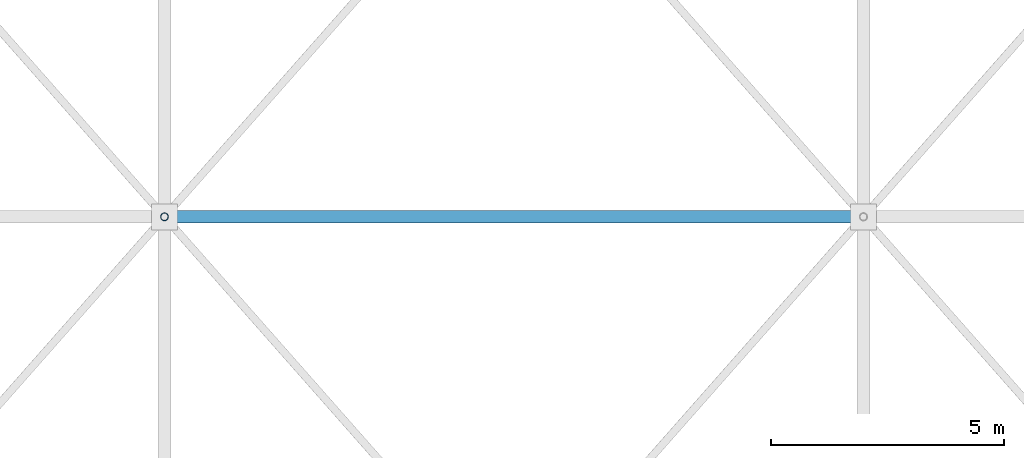
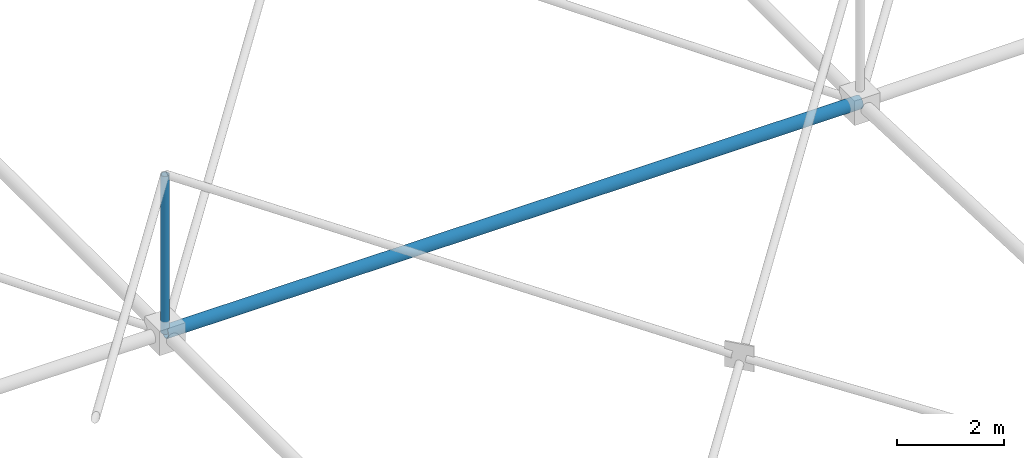
# One storey, part 63 of 224: 2 members.
"""IFC4 building model written with IfcOpenShell, lengths in metres."""

from ifc_helpers import new_model, si_unit, direction, frame, origin, origin_2d, place, context, subcontext, project, spatial, hollow_circle, extrude, material, material_profile, profile_set, type_object, element, save


model = new_model("IFC4")

# Units and contexts
model_context = context("Model", 3, precision=1e-05, world=origin(), true_north=direction((0.0, 1.0)))
body_context = subcontext(model_context, "Body", "Model", "MODEL_VIEW")
ifc_project = project(units=[si_unit("LENGTHUNIT", "METRE"), si_unit("AREAUNIT", "SQUARE_METRE"), si_unit("VOLUMEUNIT", "CUBIC_METRE"), si_unit("PLANEANGLEUNIT", "RADIAN"), si_unit("MASSUNIT", "GRAM", prefix="KILO")], contexts=[model_context])

# Site, building, storey
site_placement = place(None, origin())
site = spatial("IfcSite", under=ifc_project, at=site_placement, CompositionType="ELEMENT")
building_placement = place(site_placement, origin())
building = spatial("IfcBuilding", under=site, at=building_placement, Name="Qamarlyn Nura Convention Centre", CompositionType="ELEMENT")
storey_placement = place(building_placement, frame((0.0, 0.0, 10.800048828125)))
storey = spatial("IfcBuildingStorey", under=building, at=storey_placement, Name="L02", CompositionType="ELEMENT", Elevation=10.800048828125)

# Members
ifc_material = material(Name="Pearl-white PVDF steel ASTM A500 Grade C", Category="steel")
ifc_material_profile_1 = material_profile(ifc_material, hollow_circle(Radius=0.136474609375, WallThickness=0.012451171875, at=origin_2d()), Name="CHS273X12.5")
ifc_profile_set_1 = profile_set([ifc_material_profile_1], Name="Pearl-white PVDF steel ASTM A500 Grade C")
member_type_1 = type_object("IfcMemberType", Name="SF-BC-MAIN", PredefinedType="CHORD", material=ifc_profile_set_1)
member_1_placement = place(storey_placement, frame((90.0, 52.0, 0.800048828125), z_axis=(0.999999996689, 0.0, 8.1380208e-05), x_axis=(0.0, 1.0, 0.0)))
element("IfcMember", 1, at=member_1_placement, inside=storey, type_object=member_type_1, Name="ROOF TRUSS space frame bottom chord X8-4", PredefinedType="CHORD", context=body_context, shape_type="SweptSolid", body=[
    extrude(hollow_circle(Radius=0.136474609375, WallThickness=0.012451171875, at=origin_2d()), origin(), (0.0, 0.0, 1.0), 15.0),
])
ifc_material_profile_2 = material_profile(ifc_material, hollow_circle(Radius=0.084228515625, WallThickness=0.008056640625, at=origin_2d()), Name="CHS168.3X8")
ifc_profile_set_2 = profile_set([ifc_material_profile_2], Name="Pearl-white PVDF steel ASTM A500 Grade C")
member_type_2 = type_object("IfcMemberType", Name="SF-WEB-STD", PredefinedType="BRACE", material=ifc_profile_set_2)
member_2_placement = place(storey_placement, frame((90.0, 52.0, 0.800048828125), z_axis=(0.0, 0.0, 1.0), x_axis=(1.0, 0.0, 0.0)))
element("IfcMember", 2, at=member_2_placement, inside=storey, type_object=member_type_2, Name="ROOF TRUSS space frame vertical 8-4", PredefinedType="BRACE", context=body_context, shape_type="SweptSolid", body=[
    extrude(hollow_circle(Radius=0.084228515625, WallThickness=0.008056640625, at=origin_2d()), origin(), (0.0, 0.0, 1.0), 3.599853515625),
])

save(model, "model.ifc")
